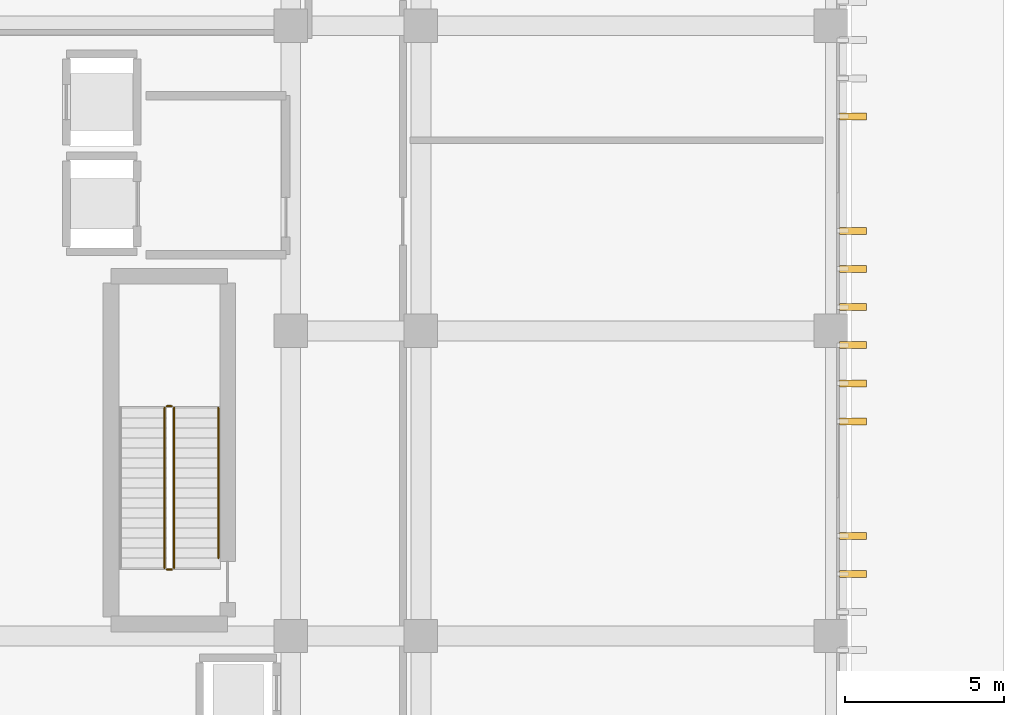
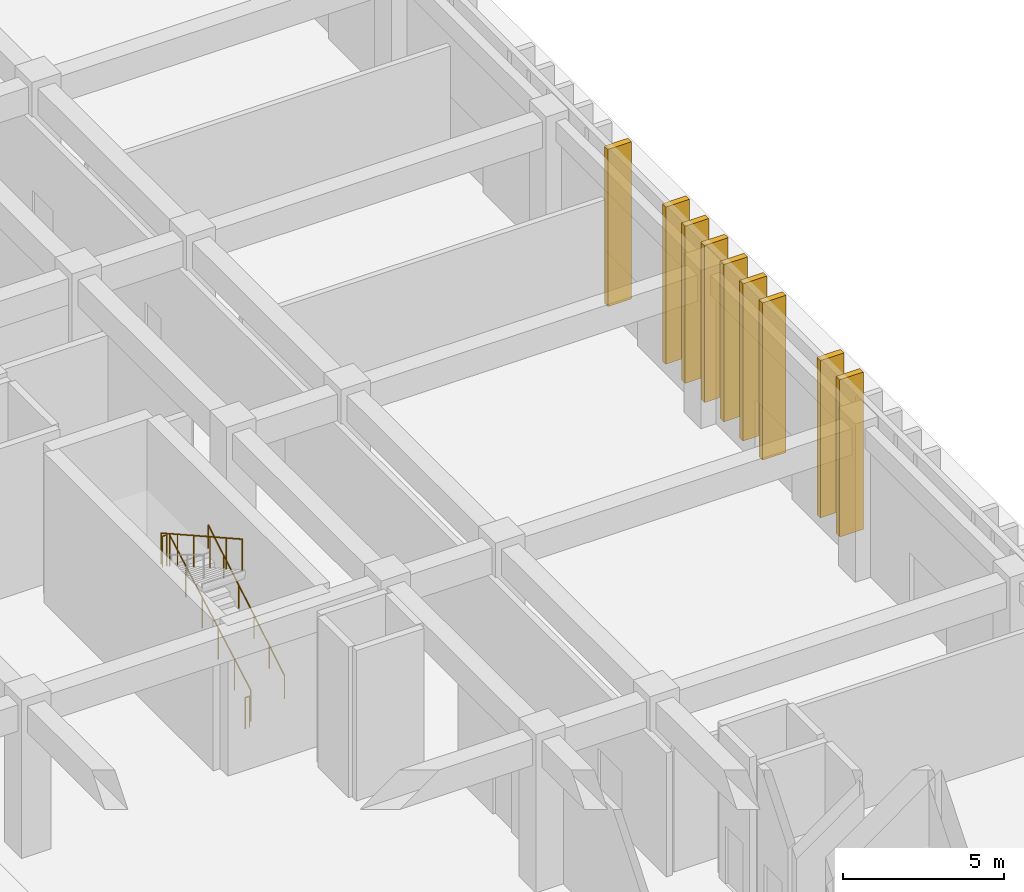
# One storey, part 81 of 87: 9 coverings, 9 shading devices, 5 railings.
"""IFC4 building model written with IfcOpenShell, lengths in metres."""

from ifc_helpers import new_model, si_unit, direction, frame, origin, origin_2d, place, context, subcontext, project, spatial, rectangle, circle, extrude, material, layer, layer_set, type_object, element, save


model = new_model("IFC4")

# Units and contexts
model_context = context("Model", 3, precision=1e-05, world=origin(), true_north=direction((0.0, 1.0)))
body_context = subcontext(model_context, "Body", "Model", "MODEL_VIEW")
ifc_project = project(units=[si_unit("LENGTHUNIT", "METRE"), si_unit("AREAUNIT", "SQUARE_METRE"), si_unit("VOLUMEUNIT", "CUBIC_METRE"), si_unit("PLANEANGLEUNIT", "RADIAN"), si_unit("MASSUNIT", "GRAM", prefix="KILO")], contexts=[model_context])

# Site, building, storey
site_placement = place(None, origin())
site = spatial("IfcSite", under=ifc_project, at=site_placement, CompositionType="ELEMENT")
building_placement = place(site_placement, origin())
building = spatial("IfcBuilding", under=site, at=building_placement, Name="Nakhvara Creek Congress Hotel", CompositionType="ELEMENT")
storey_placement = place(building_placement, origin())
storey = spatial("IfcBuildingStorey", under=building, at=storey_placement, Name="L00", CompositionType="ELEMENT", Elevation=0.0)

# Coverings
ifc_material_1 = material(Name="Honed pale Omani limestone architectural cladding", Category="masonry")
ifc_layer = layer(ifc_material_1, 0.219970703125)
ifc_layer_set = layer_set([ifc_layer], Name="Honed pale Omani limestone architectural cladding")
covering_type = type_object("IfcCoveringType", Name="COV-FIN-850", PredefinedType="CLADDING", material=ifc_layer_set)
for number, where, z_axis, x_axis, name in (
    (1, (180.054931640625, 78.75, 0.0), (0.0, 0.0, 1.0), (0.0, 1.0, 0.0), "Pale Limestone Fin Cladding CF01-0582"),
    (2, (180.054931640625, 79.949951171875, 0.0), (0.0, 0.0, 1.0), (0.0, 1.0, 0.0), "Pale Limestone Fin Cladding CF01-0583"),
    (3, (180.054931640625, 83.550048828125, 0.0), (0.0, 0.0, 1.0), (0.0, 1.0, 0.0), "Pale Limestone Fin Cladding CF01-0584"),
    (4, (180.054931640625, 84.75, 0.0), (0.0, 0.0, 1.0), (0.0, 1.0, 0.0), "Pale Limestone Fin Cladding CF01-0585"),
    (5, (180.054931640625, 85.949951171875, 0.0), (0.0, 0.0, 1.0), (0.0, 1.0, 0.0), "Pale Limestone Fin Cladding CF01-0586"),
    (6, (180.054931640625, 87.14990234375, 0.0), (0.0, 0.0, 1.0), (0.0, 1.0, 0.0), "Pale Limestone Fin Cladding CF01-0587"),
    (7, (180.054931640625, 88.35009765625, 0.0), (0.0, 0.0, 1.0), (0.0, 1.0, 0.0), "Pale Limestone Fin Cladding CF01-0588"),
    (8, (180.054931640625, 89.550048828125, 0.0), (0.0, 0.0, 1.0), (0.0, 1.0, 0.0), "Pale Limestone Fin Cladding CF01-0589"),
    (9, (180.054931640625, 93.14990234375, 0.0), (0.0, 0.0, 1.0), (0.0, 1.0, 0.0), "Pale Limestone Fin Cladding CF01-0590"),
):
    element("IfcCovering", number, at=place(storey_placement, frame(where, z_axis=z_axis, x_axis=x_axis)), inside=storey, type_object=covering_type, Name=name, PredefinedType="CLADDING", context=body_context, shape_type="SweptSolid", body=[
        extrude(rectangle(XDim=0.219970703125, YDim=0.85009765625, at=origin_2d()), origin(), (0.0, 0.0, 1.0), 5.9599609375),
    ])

# Railings
ifc_material_2 = material(Name="Brushed stainless steel 316L", Category="steel")
railing_type_1 = type_object("IfcRailingType", Name="RL-GUARD-1200", PredefinedType="GUARDRAIL", material=ifc_material_2)
railing_1_placement = place(storey_placement, frame((158.68505859375, 78.93994140625, 0.176513671875)))
element("IfcRailing", 10, at=railing_1_placement, inside=storey, type_object=railing_type_1, Name="L00 ST01 stair guard 1", PredefinedType="GUARDRAIL", context=body_context, shape_type="SweptSolid", body=[
    extrude(circle(Radius=0.02392578125, at=origin_2d()), frame((0.0, 0.012939453125, 1.18310546875), z_axis=(0.0, 0.872427454555, 0.488743630688), x_axis=(-1.0, 0.0, 0.0)), (0.0, 0.0, 1.0), 5.74755859375),
    extrude(circle(Radius=0.02099609375, at=origin_2d()), origin(), (0.0, 0.0, 1.0), 1.1806640625),
    extrude(circle(Radius=0.02099609375, at=origin_2d()), frame((0.0, 1.008056640625, 0.564697265625)), (0.0, 0.0, 1.0), 1.1806640625),
    extrude(circle(Radius=0.02099609375, at=origin_2d()), frame((0.0, 2.01611328125, 1.12939453125)), (0.0, 0.0, 1.0), 1.1806640625),
    extrude(circle(Radius=0.02099609375, at=origin_2d()), frame((0.0, 3.02392578125, 1.694091796875)), (0.0, 0.0, 1.0), 1.1806640625),
    extrude(circle(Radius=0.02099609375, at=origin_2d()), frame((0.0, 4.031982421875, 2.2587890625)), (0.0, 0.0, 1.0), 1.1806640625),
    extrude(circle(Radius=0.02099609375, at=origin_2d()), frame((0.0, 5.0400390625, 2.823486328125)), (0.0, 0.0, 1.0), 1.1806640625),
])
railing_2_placement = place(storey_placement, frame((158.610107421875, 84.030029296875, 3.0)))
element("IfcRailing", 11, at=railing_2_placement, inside=storey, type_object=railing_type_1, Name="L00 ST01 stair guard 2", PredefinedType="GUARDRAIL", context=body_context, shape_type="SweptSolid", body=[
    extrude(circle(Radius=0.02392578125, at=origin_2d()), frame((-0.0146484375, 0.0, 1.17578125), z_axis=(-1.0, 0.0, 0.0), x_axis=(0.0, -1.0, 0.0)), (0.0, 0.0, 1.0), 0.120849609375),
    extrude(circle(Radius=0.02099609375, at=origin_2d()), origin(), (0.0, 0.0, 1.0), 1.1806640625),
    extrude(circle(Radius=0.02099609375, at=origin_2d()), frame((-0.150146484375, 0.0, 0.0)), (0.0, 0.0, 1.0), 1.1806640625),
])
railing_3_placement = place(storey_placement, frame((158.385009765625, 83.97998046875, 3.176513671875)))
element("IfcRailing", 12, at=railing_3_placement, inside=storey, type_object=railing_type_1, Name="L00 ST01 stair guard 3", PredefinedType="GUARDRAIL", context=body_context, shape_type="SweptSolid", body=[
    extrude(circle(Radius=0.02392578125, at=origin_2d()), frame((0.0, -0.012939453125, 1.18310546875), z_axis=(0.0, -0.872427454555, 0.488743630688), x_axis=(1.0, 0.0, 0.0)), (0.0, 0.0, 1.0), 5.74755859375),
    extrude(circle(Radius=0.02099609375, at=origin_2d()), origin(), (0.0, 0.0, 1.0), 1.1806640625),
    extrude(circle(Radius=0.02099609375, at=origin_2d()), frame((0.0, -1.008056640625, 0.564697265625)), (0.0, 0.0, 1.0), 1.1806640625),
    extrude(circle(Radius=0.02099609375, at=origin_2d()), frame((0.0, -2.01611328125, 1.12939453125)), (0.0, 0.0, 1.0), 1.1806640625),
    extrude(circle(Radius=0.02099609375, at=origin_2d()), frame((0.0, -3.02392578125, 1.694091796875)), (0.0, 0.0, 1.0), 1.1806640625),
    extrude(circle(Radius=0.02099609375, at=origin_2d()), frame((0.0, -4.031982421875, 2.2587890625)), (0.0, 0.0, 1.0), 1.1806640625),
    extrude(circle(Radius=0.02099609375, at=origin_2d()), frame((0.0, -5.0400390625, 2.823486328125)), (0.0, 0.0, 1.0), 1.1806640625),
])
railing_4_placement = place(storey_placement, frame((158.610107421875, 78.889892578125, 0.0)))
element("IfcRailing", 13, at=railing_4_placement, inside=storey, type_object=railing_type_1, Name="L00 ST01 stair guard 4", PredefinedType="GUARDRAIL", context=body_context, shape_type="SweptSolid", body=[
    extrude(circle(Radius=0.02392578125, at=origin_2d()), frame((-0.0146484375, 0.0, 1.17578125), z_axis=(-1.0, 0.0, 0.0), x_axis=(0.0, -1.0, 0.0)), (0.0, 0.0, 1.0), 0.120849609375),
    extrude(circle(Radius=0.02099609375, at=origin_2d()), origin(), (0.0, 0.0, 1.0), 1.1806640625),
    extrude(circle(Radius=0.02099609375, at=origin_2d()), frame((-0.150146484375, 0.0, 0.0)), (0.0, 0.0, 1.0), 1.1806640625),
])
railing_type_2 = type_object("IfcRailingType", Name="RL-HAND-900", PredefinedType="HANDRAIL", material=ifc_material_2)
railing_5_placement = place(storey_placement, frame((160.074951171875, 79.2548828125, 0.35302734375)))
element("IfcRailing", 14, at=railing_5_placement, inside=storey, type_object=railing_type_2, Name="L00 ST01 stair handrail 1", PredefinedType="HANDRAIL", context=body_context, shape_type="SweptSolid", body=[
    extrude(circle(Radius=0.02392578125, at=origin_2d()), frame((0.0, 0.0126953125, 0.88330078125), z_axis=(0.0, 0.857539836654, 0.514417562445), x_axis=(-1.0, 0.0, 0.0)), (0.0, 0.0, 1.0), 5.480712890625),
    extrude(circle(Radius=0.02099609375, at=origin_2d()), origin(), (0.0, 0.0, 1.0), 0.880615234375),
    extrude(circle(Radius=0.02099609375, at=origin_2d()), frame((0.0, 0.945068359375, 0.56689453125)), (0.0, 0.0, 1.0), 0.880615234375),
    extrude(circle(Radius=0.02099609375, at=origin_2d()), frame((0.0, 1.89013671875, 1.1337890625)), (0.0, 0.0, 1.0), 0.880615234375),
    extrude(circle(Radius=0.02099609375, at=origin_2d()), frame((0.0, 2.8349609375, 1.70068359375)), (0.0, 0.0, 1.0), 0.880615234375),
    extrude(circle(Radius=0.02099609375, at=origin_2d()), frame((0.0, 3.780029296875, 2.267578125)), (0.0, 0.0, 1.0), 0.880615234375),
    extrude(circle(Radius=0.02099609375, at=origin_2d()), frame((0.0, 4.72509765625, 2.83447265625)), (0.0, 0.0, 1.0), 0.880615234375),
])

# Shading devices
ifc_material_3 = material(Name="Honed pale Omani limestone cladding on stainless steel spine", Category="masonry")
shading_device_type = type_object("IfcShadingDeviceType", Name="SHD-FIN-850X5800", PredefinedType="USERDEFINED", material=ifc_material_3)
for number, where, z_axis, x_axis, name in (
    (15, (180.054931640625, 78.75, 0.0), (0.0, 0.0, 1.0), (0.0, 1.0, 0.0), "Limestone Solar Fin FN03-0447"),
    (16, (180.054931640625, 79.949951171875, 0.0), (0.0, 0.0, 1.0), (0.0, 1.0, 0.0), "Limestone Solar Fin FN03-0448"),
    (17, (180.054931640625, 83.550048828125, 0.0), (0.0, 0.0, 1.0), (0.0, 1.0, 0.0), "Limestone Solar Fin FN03-0449"),
    (18, (180.054931640625, 84.75, 0.0), (0.0, 0.0, 1.0), (0.0, 1.0, 0.0), "Limestone Solar Fin FN03-0450"),
    (19, (180.054931640625, 85.949951171875, 0.0), (0.0, 0.0, 1.0), (0.0, 1.0, 0.0), "Limestone Solar Fin FN03-0451"),
    (20, (180.054931640625, 87.14990234375, 0.0), (0.0, 0.0, 1.0), (0.0, 1.0, 0.0), "Limestone Solar Fin FN03-0452"),
    (21, (180.054931640625, 88.35009765625, 0.0), (0.0, 0.0, 1.0), (0.0, 1.0, 0.0), "Limestone Solar Fin FN03-0453"),
    (22, (180.054931640625, 89.550048828125, 0.0), (0.0, 0.0, 1.0), (0.0, 1.0, 0.0), "Limestone Solar Fin FN03-0454"),
    (23, (180.054931640625, 93.14990234375, 0.0), (0.0, 0.0, 1.0), (0.0, 1.0, 0.0), "Limestone Solar Fin FN03-0455"),
):
    element("IfcShadingDevice", number, at=place(storey_placement, frame(where, z_axis=z_axis, x_axis=x_axis)), inside=storey, type_object=shading_device_type, Name=name, ObjectType="FIN", PredefinedType="USERDEFINED", context=body_context, shape_type="SweptSolid", body=[
        extrude(rectangle(XDim=0.219970703125, YDim=0.85009765625, at=origin_2d()), origin(), (0.0, 0.0, 1.0), 5.9599609375),
    ])

save(model, "model.ifc")
